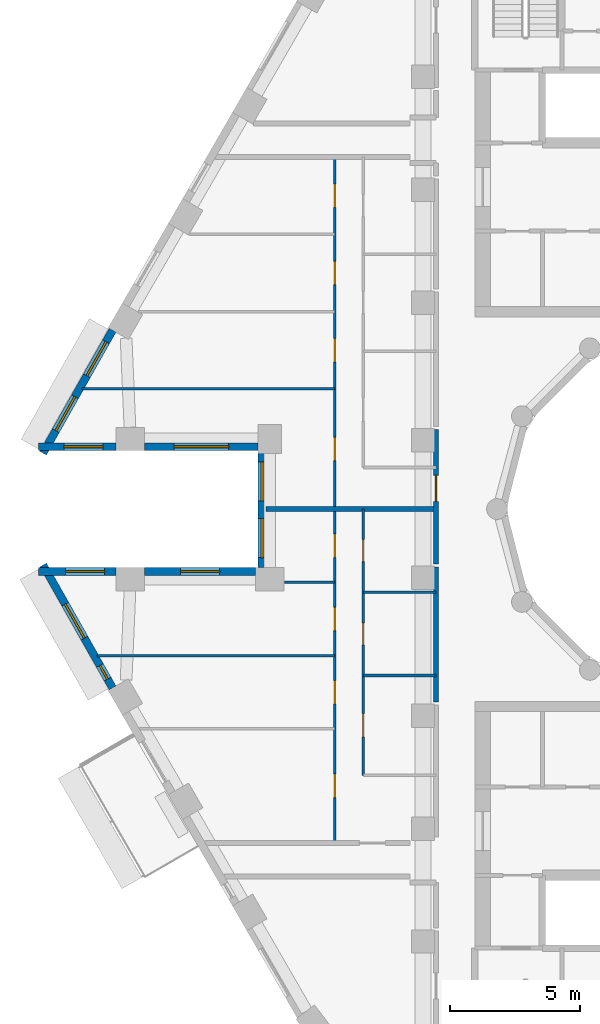
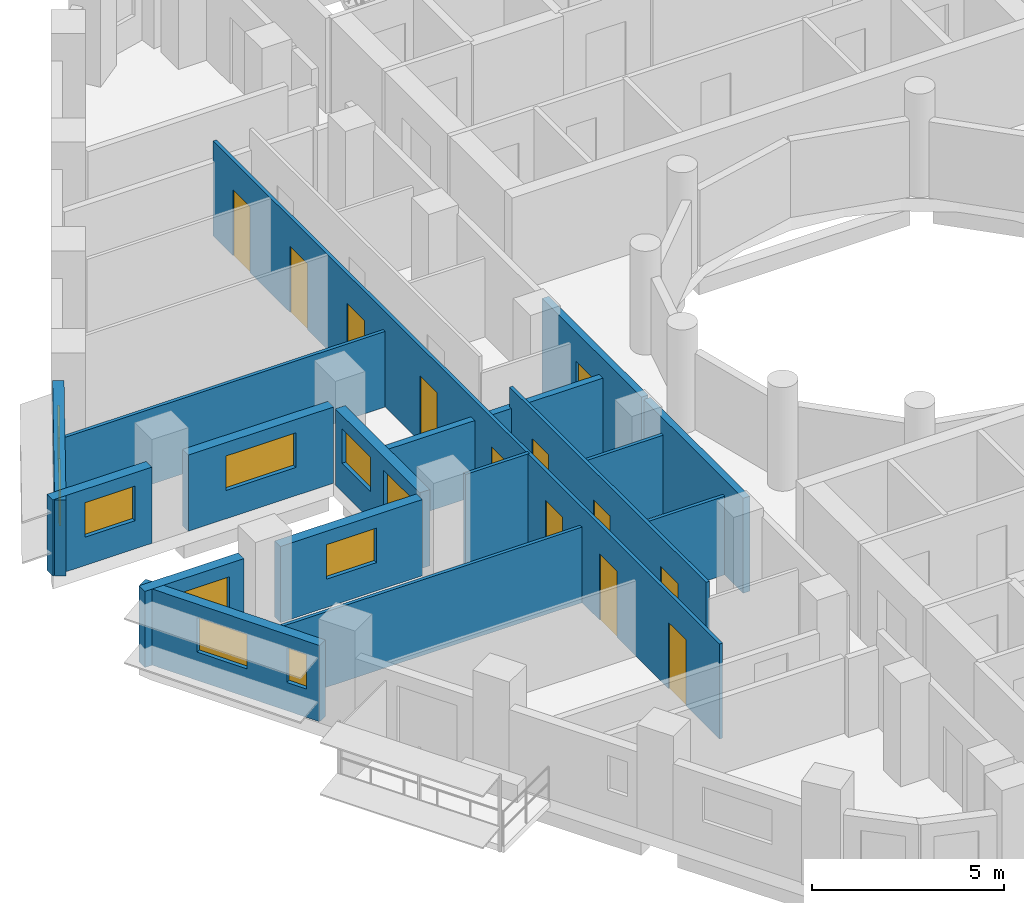
# One storey, part 4 of 16: 17 walls, 12 doors, 10 windows, 22 openings.
"""IFC4 building model written with IfcOpenShell, lengths in metres."""

from ifc_helpers import new_model, si_unit, direction, frame, frame_2d, origin, place, context, subcontext, project, spatial, rectangle, extrude, material, layer, layer_set, type_object, element, fill, save


model = new_model("IFC4")

# Units and contexts
model_context = context("Model", 3, precision=1e-05, world=origin(), true_north=direction((0.0, 1.0)))
body_context = subcontext(model_context, "Body", "Model", "MODEL_VIEW")
ifc_project = project(units=[si_unit("LENGTHUNIT", "METRE"), si_unit("AREAUNIT", "SQUARE_METRE"), si_unit("VOLUMEUNIT", "CUBIC_METRE"), si_unit("PLANEANGLEUNIT", "RADIAN"), si_unit("MASSUNIT", "GRAM", prefix="KILO")], contexts=[model_context])

# Site, building, storey
site_placement = place(None, origin())
site = spatial("IfcSite", under=ifc_project, at=site_placement, CompositionType="ELEMENT")
building_placement = place(site_placement, origin())
building = spatial("IfcBuilding", under=site, at=building_placement, Name="Nakaniwa Court", CompositionType="ELEMENT")
storey_placement = place(building_placement, frame((0.0, 0.0, 226.199951171875)))
storey = spatial("IfcBuildingStorey", under=building, at=storey_placement, Name="L58", CompositionType="ELEMENT", Elevation=226.199951171875)

# Wall
ifc_material_1 = material(Name="Acoustic double stud partition")
ifc_layer_1 = layer(ifc_material_1, 0.199951171875)
ifc_layer_set_1 = layer_set([ifc_layer_1], Name="Acoustic double stud partition")
wall_type_1 = type_object("IfcWallType", Name="Acoustic double stud partition 200", PredefinedType="PARTITIONING", material=ifc_layer_set_1)
wall_1_placement = place(storey_placement, frame((70.5, 72.576904296875, 0.0), z_axis=(0.0, 0.0, 1.0), x_axis=(0.0, 1.0, 0.0)))
element("IfcWall", 1, at=wall_1_placement, inside=storey, type_object=wall_type_1, Name="Partition PW-090", PredefinedType="PARTITIONING", context=body_context, shape_type="SweptSolid", body=[
    extrude(rectangle(XDim=5.18603515625, YDim=0.199951171875, at=frame_2d((2.593017578125, 0.0))), origin(), (0.0, 0.0, 1.0), 3.025146484375),
])

# Wall, opening, door
wall_2_placement = place(storey_placement, frame((70.5, 77.876953125, 0.0), z_axis=(0.0, 0.0, 1.0), x_axis=(0.0, 1.0, 0.0)))
wall_2 = element("IfcWall", 2, at=wall_2_placement, inside=storey, type_object=wall_type_1, Name="Partition PW-091", PredefinedType="PARTITIONING", context=body_context, shape_type="SweptSolid", body=[
    extrude(rectangle(XDim=5.18603515625, YDim=0.199951171875, at=frame_2d((2.593017578125, 0.0))), origin(), (0.0, 0.0, 1.0), 3.025146484375),
])
opening_1_placement = place(wall_2_placement, frame((2.423095703125, 0.0, 0.0)))
opening_1 = element("IfcOpeningElement", 3, at=opening_1_placement, cuts=wall_2, Name="Opening D-01-04", PredefinedType="OPENING", context=body_context, shape_type="SweptSolid", body=[
    extrude(rectangle(XDim=1.0, YDim=2.10009765625, at=frame_2d((0.5, 1.050048828125))), frame((0.0, 0.10986328125, 0.0), z_axis=(0.0, -1.0, 0.0), x_axis=(1.0, 0.0, 0.0)), (0.0, 0.0, 1.0), 0.219970703125),
])
ifc_material_2 = material(Name="Solid core timber door set, black veneer", Category="wood")
door_type_1 = type_object("IfcDoorType", Name="Flat entrance door 1000", OperationType="NOTDEFINED", PredefinedType="DOOR", material=ifc_material_2)
door_1_placement = place(opening_1_placement, origin())
door_1 = element("IfcDoor", 4, at=door_1_placement, inside=storey, type_object=door_type_1, Name="Door D-01-04 L58-051", OperationType="SINGLE_SWING_RIGHT", OverallHeight=2.10009765625, OverallWidth=1.0, PredefinedType="DOOR", context=body_context, shape_type="SweptSolid", body=[
    extrude(rectangle(XDim=1.0, YDim=2.10009765625, at=frame_2d((0.5, 1.050048828125))), frame((0.0, 0.02490234375, 0.0), z_axis=(0.0, -1.0, 0.0), x_axis=(1.0, 0.0, 0.0)), (0.0, 0.0, 1.0), 0.050048828125),
])
fill(opening_1, door_1)

# Wall
wall_3_placement = place(storey_placement, frame((63.950439453125, 80.0, 0.0), z_axis=(0.0, 0.0, 1.0), x_axis=(1.0, 0.0, 0.0)))
element("IfcWall", 5, at=wall_3_placement, inside=storey, type_object=wall_type_1, Name="Partition PW-117", PredefinedType="PARTITIONING", context=body_context, shape_type="SweptSolid", body=[
    extrude(rectangle(XDim=6.549560546875, YDim=0.199951171875, at=frame_2d((3.27490234375, 0.0))), origin(), (0.0, 0.0, 1.0), 2.405029296875),
])

# Wall, openings, windows
ifc_material_3 = material(Name="Charcoal ceramic cladding")
ifc_layer_2 = layer(ifc_material_3, 0.02, Name="Ceramic cladding")
ifc_material_4 = material(Name="Ventilated air cavity")
ifc_layer_3 = layer(ifc_material_4, 0.04, ventilated=True, Name="Ventilated cavity")
ifc_material_5 = material(Name="Mineral wool insulation")
ifc_layer_4 = layer(ifc_material_5, 0.1, Name="Insulation")
ifc_material_6 = material(Name="Cement bonded sheathing board")
ifc_layer_5 = layer(ifc_material_6, 0.012, Name="Sheathing")
ifc_material_7 = material(Name="Cold-formed galvanised stud frame with mineral wool infill")
ifc_layer_6 = layer(ifc_material_7, 0.1, Name="Stud frame")
ifc_material_8 = material(Name="Fire-rated gypsum plasterboard lining")
ifc_layer_7 = layer(ifc_material_8, 0.028, Name="Lining")
ifc_layer_set_2 = layer_set([ifc_layer_2, ifc_layer_3, ifc_layer_4, ifc_layer_5, ifc_layer_6, ifc_layer_7], Name="Charcoal ceramic faced external wall system")
wall_type_2 = type_object("IfcWallType", Name="Black ceramic faced external wall 300", PredefinedType="SOLIDWALL", material=ifc_layer_set_2)
wall_4_placement = place(storey_placement, frame((58.048095703125, 86.886474609375, 0.0), z_axis=(0.0, 0.0, 1.0), x_axis=(-0.492080931903, -0.870549456641, 0.0)))
wall_4 = element("IfcWall", 6, at=wall_4_placement, inside=storey, type_object=wall_type_2, Name="L58 external wall 14", PredefinedType="SOLIDWALL", context=body_context, shape_type="SweptSolid", body=[
    extrude(rectangle(XDim=5.436767578125, YDim=0.300048828125, at=frame_2d((2.71826171875, 0.0))), origin(), (0.0, 0.0, 1.0), 2.425048828125),
])
opening_2_placement = place(wall_4_placement, frame((0.512451171875, 0.0, 0.89990234375)))
opening_2 = element("IfcOpeningElement", 7, at=opening_2_placement, cuts=wall_4, Name="Opening W5.11", PredefinedType="OPENING", context=body_context, shape_type="SweptSolid", body=[
    extrude(rectangle(XDim=1.5, YDim=1.10009765625, at=frame_2d((0.75, 0.550048828125))), frame((0.0, 0.159912109375, 0.0), z_axis=(0.0, -1.0, 0.0), x_axis=(1.0, 0.0, 0.0)), (0.0, 0.0, 1.0), 0.320068359375),
])
opening_3_placement = place(wall_4_placement, frame((2.9423828125, 0.0, 0.89990234375)))
opening_3 = element("IfcOpeningElement", 8, at=opening_3_placement, cuts=wall_4, Name="Opening W5.12", PredefinedType="OPENING", context=body_context, shape_type="SweptSolid", body=[
    extrude(rectangle(XDim=1.5, YDim=1.10009765625, at=frame_2d((0.75, 0.550048828125))), frame((0.0, 0.159912109375, 0.0), z_axis=(0.0, -1.0, 0.0), x_axis=(1.0, 0.0, 0.0)), (0.0, 0.0, 1.0), 0.320068359375),
])
ifc_material_9 = material(Name="Black anodised aluminium frame with dark low-E laminated double glazing", Category="aluminium")
window_type_1 = type_object("IfcWindowType", Name="Dark glass window 1500x1100 sill 900", PartitioningType="SINGLE_PANEL", PredefinedType="WINDOW", material=ifc_material_9)
window_1_placement = place(opening_2_placement, origin())
window_1 = element("IfcWindow", 9, at=window_1_placement, inside=storey, type_object=window_type_1, Name="L58 bedroom window 14-0", OverallHeight=1.10009765625, OverallWidth=1.5, PartitioningType="SINGLE_PANEL", PredefinedType="WINDOW", context=body_context, shape_type="SweptSolid", body=[
    extrude(rectangle(XDim=1.5, YDim=1.10009765625, at=frame_2d((0.75, 0.550048828125))), frame((0.0, 0.030029296875, 0.0), z_axis=(0.0, -1.0, 0.0), x_axis=(1.0, 0.0, 0.0)), (0.0, 0.0, 1.0), 0.06005859375),
])
fill(opening_2, window_1)
window_2_placement = place(opening_3_placement, origin())
window_2 = element("IfcWindow", 10, at=window_2_placement, inside=storey, type_object=window_type_1, Name="L58 living window 14-1", OverallHeight=1.10009765625, OverallWidth=1.5, PartitioningType="SINGLE_PANEL", PredefinedType="WINDOW", context=body_context, shape_type="SweptSolid", body=[
    extrude(rectangle(XDim=1.5, YDim=1.10009765625, at=frame_2d((0.75, 0.550048828125))), frame((0.0, 0.030029296875, 0.0), z_axis=(0.0, -1.0, 0.0), x_axis=(1.0, 0.0, 0.0)), (0.0, 0.0, 1.0), 0.06005859375),
])
fill(opening_3, window_2)

# Wall, opening, window
wall_5_placement = place(storey_placement, frame((55.2021484375, 82.39990234375, 0.0), z_axis=(0.0, 0.0, 1.0), x_axis=(1.0, 0.0, 0.0)))
wall_5 = element("IfcWall", 11, at=wall_5_placement, inside=storey, type_object=wall_type_2, Name="L58 external wall 15", PredefinedType="SOLIDWALL", context=body_context, shape_type="SweptSolid", body=[
    extrude(rectangle(XDim=2.98779296875, YDim=0.300048828125, at=frame_2d((1.493896484375, 0.0))), origin(), (0.0, 0.0, 1.0), 2.425048828125),
])
opening_4_placement = place(wall_5_placement, frame((0.968994140625, 0.0, 0.89990234375)))
opening_4 = element("IfcOpeningElement", 12, at=opening_4_placement, cuts=wall_5, Name="Opening W5.13", PredefinedType="OPENING", context=body_context, shape_type="SweptSolid", body=[
    extrude(rectangle(XDim=1.5, YDim=1.10009765625, at=frame_2d((0.75, 0.550048828125))), frame((0.0, 0.159912109375, 0.0), z_axis=(0.0, -1.0, 0.0), x_axis=(1.0, 0.0, 0.0)), (0.0, 0.0, 1.0), 0.320068359375),
])
window_3_placement = place(opening_4_placement, origin())
window_3 = element("IfcWindow", 13, at=window_3_placement, inside=storey, type_object=window_type_1, Name="L58 living window 15-0", OverallHeight=1.10009765625, OverallWidth=1.5, PartitioningType="SINGLE_PANEL", PredefinedType="WINDOW", context=body_context, shape_type="SweptSolid", body=[
    extrude(rectangle(XDim=1.5, YDim=1.10009765625, at=frame_2d((0.75, 0.550048828125))), frame((0.0, 0.030029296875, 0.0), z_axis=(0.0, -1.0, 0.0), x_axis=(1.0, 0.0, 0.0)), (0.0, 0.0, 1.0), 0.06005859375),
])
fill(opening_4, window_3)

wall_6_placement = place(storey_placement, frame((59.281982421875, 82.39990234375, 0.0), z_axis=(0.0, 0.0, 1.0), x_axis=(1.0, 0.0, 0.0)))
wall_6 = element("IfcWall", 14, at=wall_6_placement, inside=storey, type_object=wall_type_2, Name="L58 external wall 16", PredefinedType="SOLIDWALL", context=body_context, shape_type="SweptSolid", body=[
    extrude(rectangle(XDim=4.37255859375, YDim=0.300048828125, at=frame_2d((2.186279296875, 0.0))), origin(), (0.0, 0.0, 1.0), 2.425048828125),
])
opening_5_placement = place(wall_6_placement, frame((1.13623046875, 0.0, 0.89990234375)))
opening_5 = element("IfcOpeningElement", 15, at=opening_5_placement, cuts=wall_6, Name="Opening W7.14", PredefinedType="OPENING", context=body_context, shape_type="SweptSolid", body=[
    extrude(rectangle(XDim=2.10009765625, YDim=1.10009765625, at=frame_2d((1.050048828125, 0.550048828125))), frame((0.0, 0.159912109375, 0.0), z_axis=(0.0, -1.0, 0.0), x_axis=(1.0, 0.0, 0.0)), (0.0, 0.0, 1.0), 0.320068359375),
])
window_type_2 = type_object("IfcWindowType", Name="Dark glass window 2100x1100 sill 900", PartitioningType="SINGLE_PANEL", PredefinedType="WINDOW", material=ifc_material_9)
window_4_placement = place(opening_5_placement, origin())
window_4 = element("IfcWindow", 16, at=window_4_placement, inside=storey, type_object=window_type_2, Name="L58 living window 16-0", OverallHeight=1.10009765625, OverallWidth=2.10009765625, PartitioningType="SINGLE_PANEL", PredefinedType="WINDOW", context=body_context, shape_type="SweptSolid", body=[
    extrude(rectangle(XDim=2.10009765625, YDim=1.10009765625, at=frame_2d((1.050048828125, 0.550048828125))), frame((0.0, 0.030029296875, 0.0), z_axis=(0.0, -1.0, 0.0), x_axis=(1.0, 0.0, 0.0)), (0.0, 0.0, 1.0), 0.06005859375),
])
fill(opening_5, window_4)

# Wall, openings, windows
wall_7_placement = place(storey_placement, frame((63.800537109375, 82.154052734375, 0.0), z_axis=(0.0, 0.0, 1.0), x_axis=(0.0, -1.0, 0.0)))
wall_7 = element("IfcWall", 17, at=wall_7_placement, inside=storey, type_object=wall_type_2, Name="L58 external wall 17", PredefinedType="SOLIDWALL", context=body_context, shape_type="SweptSolid", body=[
    extrude(rectangle(XDim=4.407958984375, YDim=0.300048828125, at=frame_2d((2.2041015625, 0.0))), origin(), (0.0, 0.0, 1.0), 2.425048828125),
])
opening_6_placement = place(wall_7_placement, frame((0.339111328125, 0.0, 0.89990234375)))
opening_6 = element("IfcOpeningElement", 18, at=opening_6_placement, cuts=wall_7, Name="Opening W5.15", PredefinedType="OPENING", context=body_context, shape_type="SweptSolid", body=[
    extrude(rectangle(XDim=1.5, YDim=1.10009765625, at=frame_2d((0.75, 0.550048828125))), frame((0.0, 0.159912109375, 0.0), z_axis=(0.0, -1.0, 0.0), x_axis=(1.0, 0.0, 0.0)), (0.0, 0.0, 1.0), 0.320068359375),
])
opening_7_placement = place(wall_7_placement, frame((2.51904296875, 0.0, 0.89990234375)))
opening_7 = element("IfcOpeningElement", 19, at=opening_7_placement, cuts=wall_7, Name="Opening W5.16", PredefinedType="OPENING", context=body_context, shape_type="SweptSolid", body=[
    extrude(rectangle(XDim=1.5, YDim=1.10009765625, at=frame_2d((0.75, 0.550048828125))), frame((0.0, 0.159912109375, 0.0), z_axis=(0.0, -1.0, 0.0), x_axis=(1.0, 0.0, 0.0)), (0.0, 0.0, 1.0), 0.320068359375),
])
window_5_placement = place(opening_6_placement, origin())
window_5 = element("IfcWindow", 20, at=window_5_placement, inside=storey, type_object=window_type_1, Name="L58 living window 17-0", OverallHeight=1.10009765625, OverallWidth=1.5, PartitioningType="SINGLE_PANEL", PredefinedType="WINDOW", context=body_context, shape_type="SweptSolid", body=[
    extrude(rectangle(XDim=1.5, YDim=1.10009765625, at=frame_2d((0.75, 0.550048828125))), frame((0.0, 0.030029296875, 0.0), z_axis=(0.0, -1.0, 0.0), x_axis=(1.0, 0.0, 0.0)), (0.0, 0.0, 1.0), 0.06005859375),
])
fill(opening_6, window_5)
window_6_placement = place(opening_7_placement, origin())
window_6 = element("IfcWindow", 21, at=window_6_placement, inside=storey, type_object=window_type_1, Name="L58 bedroom window 17-1", OverallHeight=1.10009765625, OverallWidth=1.5, PartitioningType="SINGLE_PANEL", PredefinedType="WINDOW", context=body_context, shape_type="SweptSolid", body=[
    extrude(rectangle(XDim=1.5, YDim=1.10009765625, at=frame_2d((0.75, 0.550048828125))), frame((0.0, 0.030029296875, 0.0), z_axis=(0.0, -1.0, 0.0), x_axis=(1.0, 0.0, 0.0)), (0.0, 0.0, 1.0), 0.06005859375),
])
fill(opening_7, window_6)

# Wall, opening, window
wall_8_placement = place(storey_placement, frame((63.554443359375, 77.60009765625, 0.0), z_axis=(0.0, 0.0, 1.0), x_axis=(-1.0, 0.0, 0.0)))
wall_8 = element("IfcWall", 22, at=wall_8_placement, inside=storey, type_object=wall_type_2, Name="L58 external wall 18", PredefinedType="SOLIDWALL", context=body_context, shape_type="SweptSolid", body=[
    extrude(rectangle(XDim=4.2724609375, YDim=0.300048828125, at=frame_2d((2.13623046875, 0.0))), origin(), (0.0, 0.0, 1.0), 2.425048828125),
])
opening_8_placement = place(wall_8_placement, frame((1.38623046875, 0.0, 0.89990234375)))
opening_8 = element("IfcOpeningElement", 23, at=opening_8_placement, cuts=wall_8, Name="Opening W5.17", PredefinedType="OPENING", context=body_context, shape_type="SweptSolid", body=[
    extrude(rectangle(XDim=1.5, YDim=1.10009765625, at=frame_2d((0.75, 0.550048828125))), frame((0.0, 0.159912109375, 0.0), z_axis=(0.0, -1.0, 0.0), x_axis=(1.0, 0.0, 0.0)), (0.0, 0.0, 1.0), 0.320068359375),
])
window_7_placement = place(opening_8_placement, origin())
window_7 = element("IfcWindow", 24, at=window_7_placement, inside=storey, type_object=window_type_1, Name="L58 bedroom window 18-0", OverallHeight=1.10009765625, OverallWidth=1.5, PartitioningType="SINGLE_PANEL", PredefinedType="WINDOW", context=body_context, shape_type="SweptSolid", body=[
    extrude(rectangle(XDim=1.5, YDim=1.10009765625, at=frame_2d((0.75, 0.550048828125))), frame((0.0, 0.030029296875, 0.0), z_axis=(0.0, -1.0, 0.0), x_axis=(1.0, 0.0, 0.0)), (0.0, 0.0, 1.0), 0.06005859375),
])
fill(opening_8, window_7)

wall_9_placement = place(storey_placement, frame((58.18994140625, 77.60009765625, 0.0), z_axis=(0.0, 0.0, 1.0), x_axis=(-1.0, 0.0, 0.0)))
wall_9 = element("IfcWall", 25, at=wall_9_placement, inside=storey, type_object=wall_type_2, Name="L58 external wall 19", PredefinedType="SOLIDWALL", context=body_context, shape_type="SweptSolid", body=[
    extrude(rectangle(XDim=2.98779296875, YDim=0.300048828125, at=frame_2d((1.493896484375, 0.0))), origin(), (0.0, 0.0, 1.0), 2.425048828125),
])
opening_9_placement = place(wall_9_placement, frame((0.446533203125, 0.0, 0.89990234375)))
opening_9 = element("IfcOpeningElement", 26, at=opening_9_placement, cuts=wall_9, Name="Opening W5.18", PredefinedType="OPENING", context=body_context, shape_type="SweptSolid", body=[
    extrude(rectangle(XDim=1.5, YDim=1.10009765625, at=frame_2d((0.75, 0.550048828125))), frame((0.0, 0.159912109375, 0.0), z_axis=(0.0, -1.0, 0.0), x_axis=(1.0, 0.0, 0.0)), (0.0, 0.0, 1.0), 0.320068359375),
])
window_8_placement = place(opening_9_placement, origin())
window_8 = element("IfcWindow", 27, at=window_8_placement, inside=storey, type_object=window_type_1, Name="L58 bedroom window 19-0", OverallHeight=1.10009765625, OverallWidth=1.5, PartitioningType="SINGLE_PANEL", PredefinedType="WINDOW", context=body_context, shape_type="SweptSolid", body=[
    extrude(rectangle(XDim=1.5, YDim=1.10009765625, at=frame_2d((0.75, 0.550048828125))), frame((0.0, 0.030029296875, 0.0), z_axis=(0.0, -1.0, 0.0), x_axis=(1.0, 0.0, 0.0)), (0.0, 0.0, 1.0), 0.06005859375),
])
fill(opening_9, window_8)

# Wall, openings, windows
wall_10_placement = place(storey_placement, frame((55.372802734375, 77.846435546875, 0.0), z_axis=(0.0, 0.0, 1.0), x_axis=(0.492080931903, -0.870549456641, 0.0)))
wall_10 = element("IfcWall", 28, at=wall_10_placement, inside=storey, type_object=wall_type_2, Name="L58 external wall 20", PredefinedType="SOLIDWALL", context=body_context, shape_type="SweptSolid", body=[
    extrude(rectangle(XDim=5.436767578125, YDim=0.300048828125, at=frame_2d((2.71826171875, 0.0))), origin(), (0.0, 0.0, 1.0), 2.425048828125),
])
opening_10_placement = place(wall_10_placement, frame((1.732666015625, 0.0, 0.89990234375)))
opening_10 = element("IfcOpeningElement", 29, at=opening_10_placement, cuts=wall_10, Name="Opening W5.19", PredefinedType="OPENING", context=body_context, shape_type="SweptSolid", body=[
    extrude(rectangle(XDim=1.5, YDim=1.10009765625, at=frame_2d((0.75, 0.550048828125))), frame((0.0, 0.159912109375, 0.0), z_axis=(0.0, -1.0, 0.0), x_axis=(1.0, 0.0, 0.0)), (0.0, 0.0, 1.0), 0.320068359375),
])
opening_11_placement = place(wall_10_placement, frame((4.44482421875, 0.0, 0.89990234375)))
opening_11 = element("IfcOpeningElement", 30, at=opening_11_placement, cuts=wall_10, Name="Opening W8.20", PredefinedType="OPENING", context=body_context, shape_type="SweptSolid", body=[
    extrude(rectangle(XDim=0.60009765625, YDim=1.10009765625, at=frame_2d((0.300048828125, 0.550048828125))), frame((0.0, 0.159912109375, 0.0), z_axis=(0.0, -1.0, 0.0), x_axis=(1.0, 0.0, 0.0)), (0.0, 0.0, 1.0), 0.320068359375),
])
window_9_placement = place(opening_10_placement, origin())
window_9 = element("IfcWindow", 31, at=window_9_placement, inside=storey, type_object=window_type_1, Name="L58 bedroom window 20-0", OverallHeight=1.10009765625, OverallWidth=1.5, PartitioningType="SINGLE_PANEL", PredefinedType="WINDOW", context=body_context, shape_type="SweptSolid", body=[
    extrude(rectangle(XDim=1.5, YDim=1.10009765625, at=frame_2d((0.75, 0.550048828125))), frame((0.0, 0.030029296875, 0.0), z_axis=(0.0, -1.0, 0.0), x_axis=(1.0, 0.0, 0.0)), (0.0, 0.0, 1.0), 0.06005859375),
])
fill(opening_10, window_9)
window_type_3 = type_object("IfcWindowType", Name="Dark glass window 600x1100 sill 900", PartitioningType="SINGLE_PANEL", PredefinedType="WINDOW", material=ifc_material_9)
window_10_placement = place(opening_11_placement, origin())
window_10 = element("IfcWindow", 32, at=window_10_placement, inside=storey, type_object=window_type_3, Name="L58 bedroom window 20-1", OverallHeight=1.10009765625, OverallWidth=0.60009765625, PartitioningType="SINGLE_PANEL", PredefinedType="WINDOW", context=body_context, shape_type="SweptSolid", body=[
    extrude(rectangle(XDim=0.60009765625, YDim=1.10009765625, at=frame_2d((0.300048828125, 0.550048828125))), frame((0.0, 0.030029296875, 0.0), z_axis=(0.0, -1.0, 0.0), x_axis=(1.0, 0.0, 0.0)), (0.0, 0.0, 1.0), 0.06005859375),
])
fill(opening_11, window_10)

# Wall
ifc_material_10 = material(Name="Single stud plasterboard partition")
ifc_layer_8 = layer(ifc_material_10, 0.10009765625)
ifc_layer_set_3 = layer_set([ifc_layer_8], Name="Single stud plasterboard partition")
wall_type_3 = type_object("IfcWallType", Name="Single stud plasterboard partition 100", PredefinedType="PARTITIONING", material=ifc_layer_set_3)
wall_11_placement = place(storey_placement, frame((67.699951171875, 73.593994140625, 0.0), z_axis=(0.0, 0.0, 1.0), x_axis=(1.0, 0.0, 0.0)))
element("IfcWall", 33, at=wall_11_placement, inside=storey, type_object=wall_type_3, Name="Partition PW-113", PredefinedType="PARTITIONING", context=body_context, shape_type="SweptSolid", body=[
    extrude(rectangle(XDim=2.800048828125, YDim=0.10009765625, at=frame_2d((1.39990234375, 0.0))), origin(), (0.0, 0.0, 1.0), 2.505126953125),
])

# Wall, openings, doors
wall_12_placement = place(storey_placement, frame((67.699951171875, 80.0, 0.0), z_axis=(0.0, 0.0, 1.0), x_axis=(0.0, -1.0, 0.0)))
wall_12 = element("IfcWall", 34, at=wall_12_placement, inside=storey, type_object=wall_type_3, Name="Partition PW-114", PredefinedType="PARTITIONING", context=body_context, shape_type="SweptSolid", body=[
    extrude(rectangle(XDim=10.25, YDim=0.10009765625, at=frame_2d((5.125, 0.0))), origin(), (0.0, 0.0, 1.0), 3.025146484375),
])
opening_12_placement = place(wall_12_placement, frame((7.8779296875, 0.0, 0.0)))
opening_12 = element("IfcOpeningElement", 35, at=opening_12_placement, cuts=wall_12, Name="Opening D-33-09", PredefinedType="OPENING", context=body_context, shape_type="SweptSolid", body=[
    extrude(rectangle(XDim=0.89990234375, YDim=2.10009765625, at=frame_2d((0.449951171875, 1.050048828125))), frame((0.0, 0.06005859375, 0.0), z_axis=(0.0, -1.0, 0.0), x_axis=(1.0, 0.0, 0.0)), (0.0, 0.0, 1.0), 0.1201171875),
])
opening_13_placement = place(wall_12_placement, frame((4.3798828125, 0.0, 0.0)))
opening_13 = element("IfcOpeningElement", 36, at=opening_13_placement, cuts=wall_12, Name="Opening D-03-03", PredefinedType="OPENING", context=body_context, shape_type="SweptSolid", body=[
    extrude(rectangle(XDim=0.85009765625, YDim=2.10009765625, at=frame_2d((0.425048828125, 1.050048828125))), frame((0.0, 0.06005859375, 0.0), z_axis=(0.0, -1.0, 0.0), x_axis=(1.0, 0.0, 0.0)), (0.0, 0.0, 1.0), 0.1201171875),
])
opening_14_placement = place(wall_12_placement, frame((1.177001953125, 0.0, 0.0)))
opening_14 = element("IfcOpeningElement", 37, at=opening_14_placement, cuts=wall_12, Name="Opening D-03-04", PredefinedType="OPENING", context=body_context, shape_type="SweptSolid", body=[
    extrude(rectangle(XDim=0.85009765625, YDim=2.10009765625, at=frame_2d((0.425048828125, 1.050048828125))), frame((0.0, 0.06005859375, 0.0), z_axis=(0.0, -1.0, 0.0), x_axis=(1.0, 0.0, 0.0)), (0.0, 0.0, 1.0), 0.1201171875),
])
ifc_material_11 = material(Name="Moisture sealed timber door set", Category="wood")
door_type_2 = type_object("IfcDoorType", Name="Bathroom door 850", OperationType="NOTDEFINED", PredefinedType="DOOR", material=ifc_material_11)
door_2_placement = place(opening_13_placement, origin())
door_2 = element("IfcDoor", 38, at=door_2_placement, inside=storey, type_object=door_type_2, Name="Door D-03-03 L58-045", OperationType="SINGLE_SWING_RIGHT", OverallHeight=2.10009765625, OverallWidth=0.85009765625, PredefinedType="DOOR", context=body_context, shape_type="SweptSolid", body=[
    extrude(rectangle(XDim=0.85009765625, YDim=2.10009765625, at=frame_2d((0.425048828125, 1.050048828125))), frame((0.0, 0.02490234375, 0.0), z_axis=(0.0, -1.0, 0.0), x_axis=(1.0, 0.0, 0.0)), (0.0, 0.0, 1.0), 0.050048828125),
])
fill(opening_13, door_2)
door_3_placement = place(opening_14_placement, origin())
door_3 = element("IfcDoor", 39, at=door_3_placement, inside=storey, type_object=door_type_2, Name="Door D-03-04 L58-046", OperationType="SINGLE_SWING_LEFT", OverallHeight=2.10009765625, OverallWidth=0.85009765625, PredefinedType="DOOR", context=body_context, shape_type="SweptSolid", body=[
    extrude(rectangle(XDim=0.85009765625, YDim=2.10009765625, at=frame_2d((0.425048828125, 1.050048828125))), frame((0.0, 0.02490234375, 0.0), z_axis=(0.0, -1.0, 0.0), x_axis=(1.0, 0.0, 0.0)), (0.0, 0.0, 1.0), 0.050048828125),
])
fill(opening_14, door_3)
door_type_3 = type_object("IfcDoorType", Name="Internal door 900", OperationType="NOTDEFINED", PredefinedType="DOOR", material=ifc_material_2)
door_4_placement = place(opening_12_placement, origin())
door_4 = element("IfcDoor", 40, at=door_4_placement, inside=storey, type_object=door_type_3, Name="Door D-33-09 L58-044", OperationType="SINGLE_SWING_LEFT", OverallHeight=2.10009765625, OverallWidth=0.89990234375, PredefinedType="DOOR", context=body_context, shape_type="SweptSolid", body=[
    extrude(rectangle(XDim=0.89990234375, YDim=2.10009765625, at=frame_2d((0.449951171875, 1.050048828125))), frame((0.0, 0.02490234375, 0.0), z_axis=(0.0, -1.0, 0.0), x_axis=(1.0, 0.0, 0.0)), (0.0, 0.0, 1.0), 0.050048828125),
])
fill(opening_12, door_4)

# Wall
wall_13_placement = place(storey_placement, frame((67.699951171875, 76.797119140625, 0.0), z_axis=(0.0, 0.0, 1.0), x_axis=(1.0, 0.0, 0.0)))
element("IfcWall", 41, at=wall_13_placement, inside=storey, type_object=wall_type_3, Name="Partition PW-116", PredefinedType="PARTITIONING", context=body_context, shape_type="SweptSolid", body=[
    extrude(rectangle(XDim=2.800048828125, YDim=0.10009765625, at=frame_2d((1.39990234375, 0.0))), origin(), (0.0, 0.0, 1.0), 2.505126953125),
])

# Wall, openings, doors
wall_14_placement = place(storey_placement, frame((66.60009765625, 67.14990234375, 0.0), z_axis=(0.0, 0.0, 1.0), x_axis=(0.0, 1.0, 0.0)))
wall_14 = element("IfcWall", 42, at=wall_14_placement, inside=storey, type_object=wall_type_3, Name="Partition PW-118", PredefinedType="PARTITIONING", context=body_context, shape_type="SweptSolid", body=[
    extrude(rectangle(XDim=26.400146484375, YDim=0.10009765625, at=frame_2d((13.2001953125, 0.0))), origin(), (0.0, 0.0, 1.0), 3.025146484375),
])
opening_15_placement = place(wall_14_placement, frame((1.743896484375, 0.0, 0.0)))
opening_15 = element("IfcOpeningElement", 43, at=opening_15_placement, cuts=wall_14, Name="Opening D-33-10", PredefinedType="OPENING", context=body_context, shape_type="SweptSolid", body=[
    extrude(rectangle(XDim=0.89990234375, YDim=2.10009765625, at=frame_2d((0.449951171875, 1.050048828125))), frame((0.0, 0.06005859375, 0.0), z_axis=(0.0, -1.0, 0.0), x_axis=(1.0, 0.0, 0.0)), (0.0, 0.0, 1.0), 0.1201171875),
])
opening_16_placement = place(wall_14_placement, frame((5.347900390625, 0.0, 0.0)))
opening_16 = element("IfcOpeningElement", 44, at=opening_16_placement, cuts=wall_14, Name="Opening D-33-11", PredefinedType="OPENING", context=body_context, shape_type="SweptSolid", body=[
    extrude(rectangle(XDim=0.89990234375, YDim=2.10009765625, at=frame_2d((0.449951171875, 1.050048828125))), frame((0.0, 0.06005859375, 0.0), z_axis=(0.0, -1.0, 0.0), x_axis=(1.0, 0.0, 0.0)), (0.0, 0.0, 1.0), 0.1201171875),
])
opening_17_placement = place(wall_14_placement, frame((8.1689453125, 0.0, 0.0)))
opening_17 = element("IfcOpeningElement", 45, at=opening_17_placement, cuts=wall_14, Name="Opening D-33-12", PredefinedType="OPENING", context=body_context, shape_type="SweptSolid", body=[
    extrude(rectangle(XDim=0.89990234375, YDim=2.10009765625, at=frame_2d((0.449951171875, 1.050048828125))), frame((0.0, 0.06005859375, 0.0), z_axis=(0.0, -1.0, 0.0), x_axis=(1.0, 0.0, 0.0)), (0.0, 0.0, 1.0), 0.1201171875),
])
opening_18_placement = place(wall_14_placement, frame((10.989990234375, 0.0, 0.0)))
opening_18 = element("IfcOpeningElement", 46, at=opening_18_placement, cuts=wall_14, Name="Opening D-33-13", PredefinedType="OPENING", context=body_context, shape_type="SweptSolid", body=[
    extrude(rectangle(XDim=0.89990234375, YDim=2.10009765625, at=frame_2d((0.449951171875, 1.050048828125))), frame((0.0, 0.06005859375, 0.0), z_axis=(0.0, -1.0, 0.0), x_axis=(1.0, 0.0, 0.0)), (0.0, 0.0, 1.0), 0.1201171875),
])
opening_19_placement = place(wall_14_placement, frame((14.712890625, 0.0, 0.0)))
opening_19 = element("IfcOpeningElement", 47, at=opening_19_placement, cuts=wall_14, Name="Opening D-33-15", PredefinedType="OPENING", context=body_context, shape_type="SweptSolid", body=[
    extrude(rectangle(XDim=0.89990234375, YDim=2.10009765625, at=frame_2d((0.449951171875, 1.050048828125))), frame((0.0, 0.06005859375, 0.0), z_axis=(0.0, -1.0, 0.0), x_axis=(1.0, 0.0, 0.0)), (0.0, 0.0, 1.0), 0.1201171875),
])
opening_20_placement = place(wall_14_placement, frame((18.513916015625, 0.0, 0.0)))
opening_20 = element("IfcOpeningElement", 48, at=opening_20_placement, cuts=wall_14, Name="Opening D-33-16", PredefinedType="OPENING", context=body_context, shape_type="SweptSolid", body=[
    extrude(rectangle(XDim=0.89990234375, YDim=2.10009765625, at=frame_2d((0.449951171875, 1.050048828125))), frame((0.0, 0.06005859375, 0.0), z_axis=(0.0, -1.0, 0.0), x_axis=(1.0, 0.0, 0.0)), (0.0, 0.0, 1.0), 0.1201171875),
])
opening_21_placement = place(wall_14_placement, frame((21.488037109375, 0.0, 0.0)))
opening_21 = element("IfcOpeningElement", 49, at=opening_21_placement, cuts=wall_14, Name="Opening D-33-17", PredefinedType="OPENING", context=body_context, shape_type="SweptSolid", body=[
    extrude(rectangle(XDim=0.89990234375, YDim=2.10009765625, at=frame_2d((0.449951171875, 1.050048828125))), frame((0.0, 0.06005859375, 0.0), z_axis=(0.0, -1.0, 0.0), x_axis=(1.0, 0.0, 0.0)), (0.0, 0.0, 1.0), 0.1201171875),
])
opening_22_placement = place(wall_14_placement, frame((24.462890625, 0.0, 0.0)))
opening_22 = element("IfcOpeningElement", 50, at=opening_22_placement, cuts=wall_14, Name="Opening D-33-18", PredefinedType="OPENING", context=body_context, shape_type="SweptSolid", body=[
    extrude(rectangle(XDim=0.89990234375, YDim=2.10009765625, at=frame_2d((0.449951171875, 1.050048828125))), frame((0.0, 0.06005859375, 0.0), z_axis=(0.0, -1.0, 0.0), x_axis=(1.0, 0.0, 0.0)), (0.0, 0.0, 1.0), 0.1201171875),
])
door_5_placement = place(opening_15_placement, origin())
door_5 = element("IfcDoor", 51, at=door_5_placement, inside=storey, type_object=door_type_3, Name="Door D-33-10 L58-047", OperationType="SINGLE_SWING_RIGHT", OverallHeight=2.10009765625, OverallWidth=0.89990234375, PredefinedType="DOOR", context=body_context, shape_type="SweptSolid", body=[
    extrude(rectangle(XDim=0.89990234375, YDim=2.10009765625, at=frame_2d((0.449951171875, 1.050048828125))), frame((0.0, 0.02490234375, 0.0), z_axis=(0.0, -1.0, 0.0), x_axis=(1.0, 0.0, 0.0)), (0.0, 0.0, 1.0), 0.050048828125),
])
fill(opening_15, door_5)
door_6_placement = place(opening_16_placement, origin())
door_6 = element("IfcDoor", 52, at=door_6_placement, inside=storey, type_object=door_type_3, Name="Door D-33-11 L58-048", OperationType="SINGLE_SWING_LEFT", OverallHeight=2.10009765625, OverallWidth=0.89990234375, PredefinedType="DOOR", context=body_context, shape_type="SweptSolid", body=[
    extrude(rectangle(XDim=0.89990234375, YDim=2.10009765625, at=frame_2d((0.449951171875, 1.050048828125))), frame((0.0, 0.02490234375, 0.0), z_axis=(0.0, -1.0, 0.0), x_axis=(1.0, 0.0, 0.0)), (0.0, 0.0, 1.0), 0.050048828125),
])
fill(opening_16, door_6)
door_7_placement = place(opening_17_placement, origin())
door_7 = element("IfcDoor", 53, at=door_7_placement, inside=storey, type_object=door_type_3, Name="Door D-33-12 L58-049", OperationType="SINGLE_SWING_RIGHT", OverallHeight=2.10009765625, OverallWidth=0.89990234375, PredefinedType="DOOR", context=body_context, shape_type="SweptSolid", body=[
    extrude(rectangle(XDim=0.89990234375, YDim=2.10009765625, at=frame_2d((0.449951171875, 1.050048828125))), frame((0.0, 0.02490234375, 0.0), z_axis=(0.0, -1.0, 0.0), x_axis=(1.0, 0.0, 0.0)), (0.0, 0.0, 1.0), 0.050048828125),
])
fill(opening_17, door_7)
door_8_placement = place(opening_18_placement, origin())
door_8 = element("IfcDoor", 54, at=door_8_placement, inside=storey, type_object=door_type_3, Name="Door D-33-13 L58-050", OperationType="SINGLE_SWING_LEFT", OverallHeight=2.10009765625, OverallWidth=0.89990234375, PredefinedType="DOOR", context=body_context, shape_type="SweptSolid", body=[
    extrude(rectangle(XDim=0.89990234375, YDim=2.10009765625, at=frame_2d((0.449951171875, 1.050048828125))), frame((0.0, 0.02490234375, 0.0), z_axis=(0.0, -1.0, 0.0), x_axis=(1.0, 0.0, 0.0)), (0.0, 0.0, 1.0), 0.050048828125),
])
fill(opening_18, door_8)
door_9_placement = place(opening_19_placement, origin())
door_9 = element("IfcDoor", 55, at=door_9_placement, inside=storey, type_object=door_type_3, Name="Door D-33-15 L58-055", OperationType="SINGLE_SWING_RIGHT", OverallHeight=2.10009765625, OverallWidth=0.89990234375, PredefinedType="DOOR", context=body_context, shape_type="SweptSolid", body=[
    extrude(rectangle(XDim=0.89990234375, YDim=2.10009765625, at=frame_2d((0.449951171875, 1.050048828125))), frame((0.0, 0.02490234375, 0.0), z_axis=(0.0, -1.0, 0.0), x_axis=(1.0, 0.0, 0.0)), (0.0, 0.0, 1.0), 0.050048828125),
])
fill(opening_19, door_9)
door_10_placement = place(opening_20_placement, origin())
door_10 = element("IfcDoor", 56, at=door_10_placement, inside=storey, type_object=door_type_3, Name="Door D-33-16 L58-056", OperationType="SINGLE_SWING_LEFT", OverallHeight=2.10009765625, OverallWidth=0.89990234375, PredefinedType="DOOR", context=body_context, shape_type="SweptSolid", body=[
    extrude(rectangle(XDim=0.89990234375, YDim=2.10009765625, at=frame_2d((0.449951171875, 1.050048828125))), frame((0.0, 0.02490234375, 0.0), z_axis=(0.0, -1.0, 0.0), x_axis=(1.0, 0.0, 0.0)), (0.0, 0.0, 1.0), 0.050048828125),
])
fill(opening_20, door_10)
door_11_placement = place(opening_21_placement, origin())
door_11 = element("IfcDoor", 57, at=door_11_placement, inside=storey, type_object=door_type_3, Name="Door D-33-17 L58-057", OperationType="SINGLE_SWING_RIGHT", OverallHeight=2.10009765625, OverallWidth=0.89990234375, PredefinedType="DOOR", context=body_context, shape_type="SweptSolid", body=[
    extrude(rectangle(XDim=0.89990234375, YDim=2.10009765625, at=frame_2d((0.449951171875, 1.050048828125))), frame((0.0, 0.02490234375, 0.0), z_axis=(0.0, -1.0, 0.0), x_axis=(1.0, 0.0, 0.0)), (0.0, 0.0, 1.0), 0.050048828125),
])
fill(opening_21, door_11)
door_12_placement = place(opening_22_placement, origin())
door_12 = element("IfcDoor", 58, at=door_12_placement, inside=storey, type_object=door_type_3, Name="Door D-33-18 L58-058", OperationType="SINGLE_SWING_LEFT", OverallHeight=2.10009765625, OverallWidth=0.89990234375, PredefinedType="DOOR", context=body_context, shape_type="SweptSolid", body=[
    extrude(rectangle(XDim=0.89990234375, YDim=2.10009765625, at=frame_2d((0.449951171875, 1.050048828125))), frame((0.0, 0.02490234375, 0.0), z_axis=(0.0, -1.0, 0.0), x_axis=(1.0, 0.0, 0.0)), (0.0, 0.0, 1.0), 0.050048828125),
])
fill(opening_22, door_12)

# Walls
wall_15_placement = place(storey_placement, frame((57.449462890625, 74.35888671875, 0.0), z_axis=(0.0, 0.0, 1.0), x_axis=(1.0, 0.0, 0.0)))
element("IfcWall", 59, at=wall_15_placement, inside=storey, type_object=wall_type_3, Name="Partition PW-120", PredefinedType="PARTITIONING", context=body_context, shape_type="SweptSolid", body=[
    extrude(rectangle(XDim=9.150634765625, YDim=0.10009765625, at=frame_2d((4.5751953125, 0.0))), origin(), (0.0, 0.0, 1.0), 2.405029296875),
])
wall_16_placement = place(storey_placement, frame((64.67041015625, 77.178955078125, 0.0), z_axis=(0.0, 0.0, 1.0), x_axis=(1.0, 0.0, 0.0)))
element("IfcWall", 60, at=wall_16_placement, inside=storey, type_object=wall_type_3, Name="Partition PW-121", PredefinedType="PARTITIONING", context=body_context, shape_type="SweptSolid", body=[
    extrude(rectangle(XDim=1.9296875, YDim=0.10009765625, at=frame_2d((0.96484375, 0.0))), origin(), (0.0, 0.0, 1.0), 3.025146484375),
])
wall_17_placement = place(storey_placement, frame((56.86376953125, 84.626953125, 0.0), z_axis=(0.0, 0.0, 1.0), x_axis=(1.0, 0.0, 0.0)))
element("IfcWall", 61, at=wall_17_placement, inside=storey, type_object=wall_type_3, Name="Partition PW-125", PredefinedType="PARTITIONING", context=body_context, shape_type="SweptSolid", body=[
    extrude(rectangle(XDim=9.736328125, YDim=0.10009765625, at=frame_2d((4.8681640625, 0.0))), origin(), (0.0, 0.0, 1.0), 2.405029296875),
])

save(model, "model.ifc")
